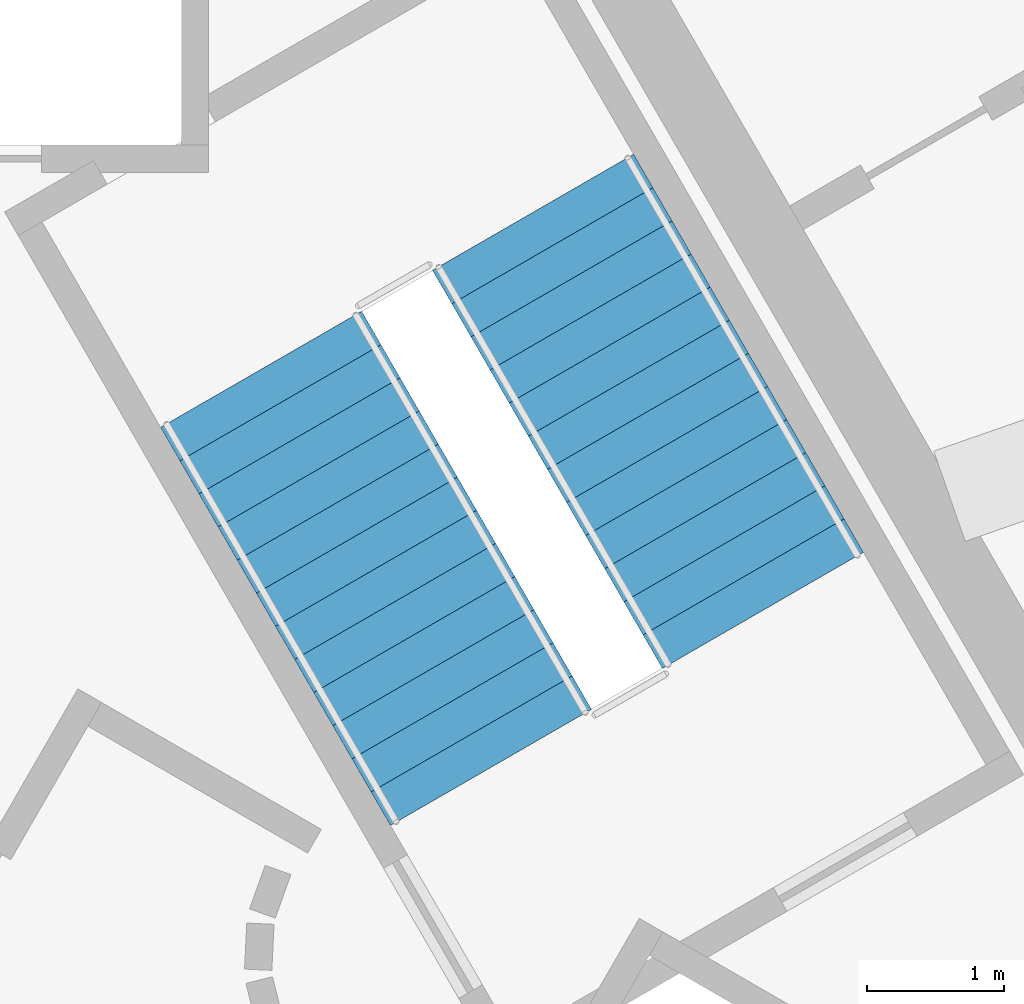
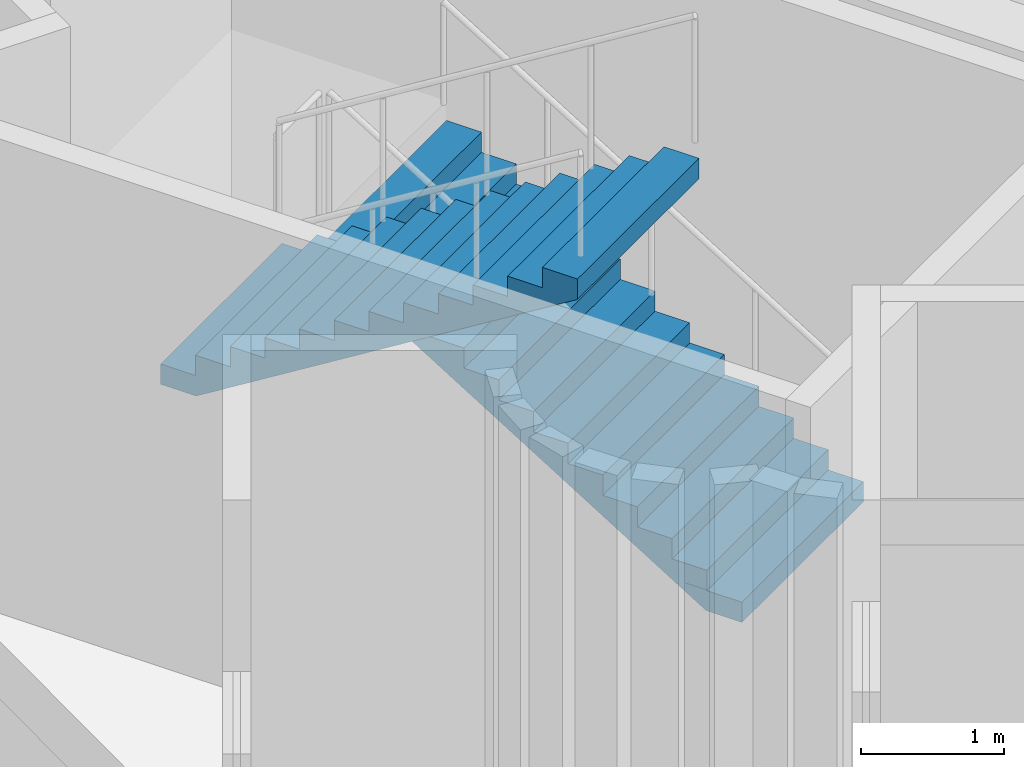
# One storey, part 7 of 8: 2 stair flights, 1 element without a shape of its own.
"""IFC4 building model written with IfcOpenShell, lengths in metres."""

from ifc_helpers import new_model, si_unit, direction, frame, origin, place, context, subcontext, project, spatial, polyline, outline, extrude, material, type_object, element, aggregate, save


model = new_model("IFC4")

# Units and contexts
model_context = context("Model", 3, precision=1e-05, world=origin(), true_north=direction((0.0, 1.0)))
body_context = subcontext(model_context, "Body", "Model", "MODEL_VIEW")
ifc_project = project(units=[si_unit("LENGTHUNIT", "METRE"), si_unit("AREAUNIT", "SQUARE_METRE"), si_unit("VOLUMEUNIT", "CUBIC_METRE"), si_unit("PLANEANGLEUNIT", "RADIAN"), si_unit("MASSUNIT", "GRAM", prefix="KILO")], contexts=[model_context])

# Site, building, storey
site_placement = place(None, origin())
site = spatial("IfcSite", under=ifc_project, at=site_placement, CompositionType="ELEMENT")
building_placement = place(site_placement, origin())
building = spatial("IfcBuilding", under=site, at=building_placement, Name="Entoto Arch Interchange Tower", CompositionType="ELEMENT")
storey_placement = place(building_placement, frame((0.0, 0.0, 344.89990234375)))
storey = spatial("IfcBuildingStorey", under=building, at=storey_placement, Name="L81", CompositionType="ELEMENT", Elevation=344.89990234375)

# Stair, stair flights
ifc_material = material(Name="Concrete C40/50", Category="concrete")
stair_type = type_object("IfcStairType", Name="EXIT STAIR RC 1700", PredefinedType="HALF_TURN_STAIR", material=ifc_material)
stair_placement = place(storey_placement, origin())
stair = element("IfcStair", 1, at=stair_placement, inside=storey, type_object=stair_type, Name="L81 Exit stair NE", PredefinedType="HALF_TURN_STAIR")
stair_flight_type = type_object("IfcStairFlightType", Name="EXIT STAIR FLIGHT RC 1700", PredefinedType="STRAIGHT", material=ifc_material)
stair_flight_1_placement = place(storey_placement, frame((6.75732421875, 4.49609375, 0.0), z_axis=(0.0, 0.0, 1.0), x_axis=(-0.5, 0.866025403784, 0.0)))
stair_flight_1 = element("IfcStairFlight", 2, at=stair_flight_1_placement, type_object=stair_flight_type, Name="ST-NE flight 1", NumberOfRisers=13, NumberOfTreads=12, PredefinedType="STRAIGHT", RiserHeight=0.173076923, TreadLength=0.28, context=body_context, shape_type="SweptSolid", body=[
    extrude(outline(polyline([(-0.0029296875, 0.0), (-0.0029296875, 0.173095703125), (0.280029296875, 0.173095703125), (0.280029296875, 0.34619140625), (0.56005859375, 0.34619140625), (0.56005859375, 0.519287109375), (0.840087890625, 0.519287109375), (0.840087890625, 0.6923828125), (1.1201171875, 0.6923828125), (1.1201171875, 0.865478515625), (1.39990234375, 0.865478515625), (1.39990234375, 1.03857421875), (1.679931640625, 1.03857421875), (1.679931640625, 1.21142578125), (1.9599609375, 1.21142578125), (1.9599609375, 1.384521484375), (2.239990234375, 1.384521484375), (2.239990234375, 1.5576171875), (2.52001953125, 1.5576171875), (2.52001953125, 1.730712890625), (2.800048828125, 1.730712890625), (2.800048828125, 1.90380859375), (3.080078125, 1.90380859375), (3.080078125, 2.076904296875), (3.360107421875, 2.076904296875), (3.363037109375, 2.076904296875), (3.363037109375, 1.902587890625), (0.28515625, 0.0), (-0.0029296875, 0.0)])), frame((0.0, 0.85009765625, 0.0), z_axis=(0.0, -1.0, 0.0), x_axis=(1.0, 0.0, 0.0)), (0.0, 0.0, 1.0), 1.699951171875),
])
stair_flight_2_placement = place(storey_placement, frame((3.08544921875, 6.255859375, 2.25), z_axis=(0.0, 0.0, 1.0), x_axis=(0.5, -0.866025403784, 0.0)))
stair_flight_2 = element("IfcStairFlight", 3, at=stair_flight_2_placement, type_object=stair_flight_type, Name="ST-NE flight 2", NumberOfRisers=13, NumberOfTreads=12, PredefinedType="STRAIGHT", RiserHeight=0.173076923, TreadLength=0.28, context=body_context, shape_type="SweptSolid", body=[
    extrude(outline(polyline([(-0.0029296875, 0.0), (-0.0029296875, 0.173095703125), (0.280029296875, 0.173095703125), (0.280029296875, 0.34619140625), (0.56005859375, 0.34619140625), (0.56005859375, 0.519287109375), (0.840087890625, 0.519287109375), (0.840087890625, 0.6923828125), (1.1201171875, 0.6923828125), (1.1201171875, 0.865478515625), (1.39990234375, 0.865478515625), (1.39990234375, 1.03857421875), (1.679931640625, 1.03857421875), (1.679931640625, 1.21142578125), (1.9599609375, 1.21142578125), (1.9599609375, 1.384521484375), (2.239990234375, 1.384521484375), (2.239990234375, 1.5576171875), (2.52001953125, 1.5576171875), (2.52001953125, 1.730712890625), (2.800048828125, 1.730712890625), (2.800048828125, 1.90380859375), (3.080078125, 1.90380859375), (3.080078125, 2.076904296875), (3.360107421875, 2.076904296875), (3.363037109375, 2.076904296875), (3.363037109375, 1.902587890625), (0.28515625, 0.0), (-0.0029296875, 0.0)])), frame((0.0, 0.85009765625, 0.0), z_axis=(0.0, -1.0, 0.0), x_axis=(1.0, 0.0, 0.0)), (0.0, 0.0, 1.0), 1.699951171875),
])
aggregate(stair, [stair_flight_1, stair_flight_2])

save(model, "model.ifc")
